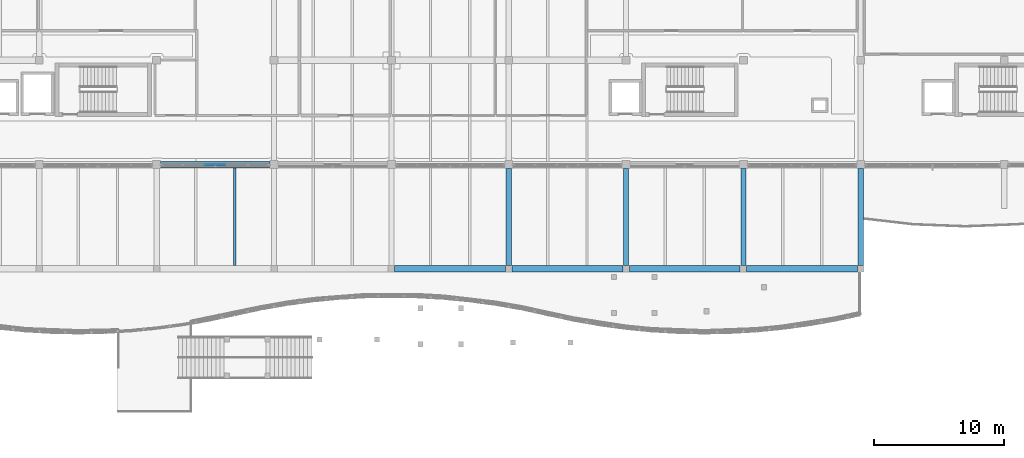
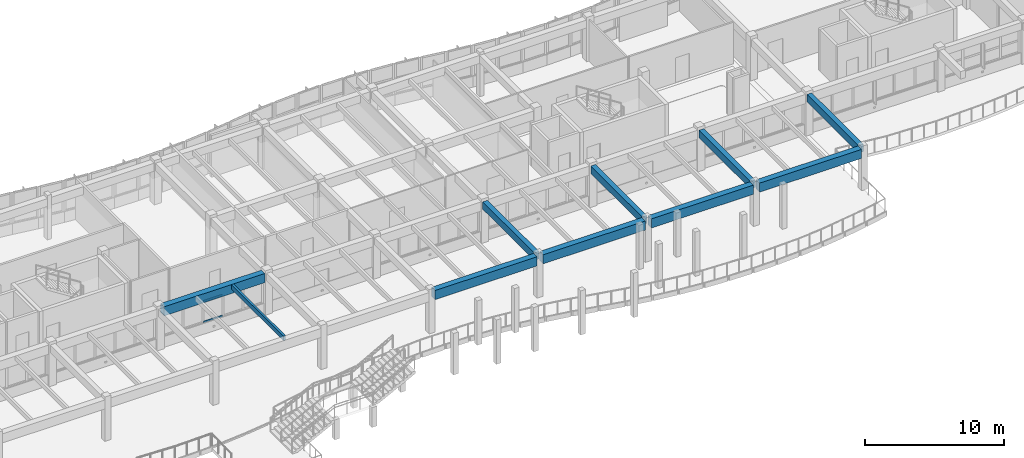
# One storey, part 21 of 89: 10 beams, 2 members, 1 element without a shape of its own.
"""IFC4 building model written with IfcOpenShell, lengths in metres."""

from ifc_helpers import new_model, si_unit, direction, frame, origin, origin_2d, place, context, subcontext, project, spatial, rectangle, extrude, material, layer, layer_set, material_profile, profile_set, type_object, element, aggregate, save


model = new_model("IFC4")

# Units and contexts
model_context = context("Model", 3, precision=1e-05, world=origin(), true_north=direction((0.0, 1.0)))
body_context = subcontext(model_context, "Body", "Model", "MODEL_VIEW")
ifc_project = project(units=[si_unit("LENGTHUNIT", "METRE"), si_unit("AREAUNIT", "SQUARE_METRE"), si_unit("VOLUMEUNIT", "CUBIC_METRE"), si_unit("PLANEANGLEUNIT", "RADIAN"), si_unit("MASSUNIT", "GRAM", prefix="KILO")], contexts=[model_context])

# Site, building, storey
site_placement = place(None, origin())
site = spatial("IfcSite", under=ifc_project, at=site_placement, CompositionType="ELEMENT")
building_placement = place(site_placement, origin())
building = spatial("IfcBuilding", under=site, at=building_placement, Name="Tonlespit Floodbar School", CompositionType="ELEMENT")
storey_placement = place(building_placement, frame((0.0, 0.0, 4.5)))
storey = spatial("IfcBuildingStorey", under=building, at=storey_placement, Name="L01", CompositionType="ELEMENT", Elevation=4.5)

# Beams
ifc_material_1 = material(Name="Concrete C40/50", Category="concrete")
ifc_material_profile_1 = material_profile(ifc_material_1, rectangle(XDim=0.39990234375, YDim=0.64990234375, at=origin_2d()), Name="RC 400x650")
ifc_profile_set_1 = profile_set([ifc_material_profile_1], Name="Concrete C40/50")
beam_type_1 = type_object("IfcBeamType", Name="Beam_RC_400x650", PredefinedType="BEAM", material=ifc_profile_set_1)
for number, where, z_axis, x_axis, name in (
    (1, (89.0, 96.25, 3.322998046875), (0.0, 1.0, 0.0), (-1.0, 0.0, 0.0), "L01 girder 0737"),
    (2, (98.0, 96.25, 3.322998046875), (0.0, 1.0, 0.0), (-1.0, 0.0, 0.0), "L01 girder 0740"),
    (3, (107.0, 96.25, 3.322998046875), (0.0, 1.0, 0.0), (-1.0, 0.0, 0.0), "L01 girder 0742"),
    (4, (116.0, 96.25, 3.322998046875), (0.0, 1.0, 0.0), (-1.0, 0.0, 0.0), "L01 girder 0743"),
):
    element("IfcBeam", number, at=place(storey_placement, frame(where, z_axis=z_axis, x_axis=x_axis)), inside=storey, type_object=beam_type_1, Name=name, PredefinedType="BEAM", context=body_context, shape_type="SweptSolid", body=[
        extrude(rectangle(XDim=0.39990234375, YDim=0.64990234375, at=origin_2d()), origin(), (0.0, 0.0, 1.0), 7.449951171875),
    ])
ifc_material_profile_2 = material_profile(ifc_material_1, rectangle(XDim=0.5, YDim=0.800048828125, at=origin_2d()), Name="RC 500x800")
ifc_profile_set_2 = profile_set([ifc_material_profile_2], Name="Concrete C40/50")
beam_type_2 = type_object("IfcBeamType", Name="Beam_RC_500x800", PredefinedType="BEAM", material=ifc_profile_set_2)
for number, where, z_axis, x_axis, name in (
    (5, (80.25, 96.0, 3.25), (1.0, 0.0, 0.0), (0.0, 1.0, 0.0), "L01 girder 0621"),
    (6, (89.25, 96.0, 3.248046875), (1.0, 0.0, 0.0), (0.0, 1.0, 0.0), "L01 girder 0622"),
    (7, (98.25, 96.0, 3.248046875), (1.0, 0.0, 0.0), (0.0, 1.0, 0.0), "L01 girder 0623"),
    (8, (107.25, 96.0, 3.248046875), (1.0, 0.0, 0.0), (0.0, 1.0, 0.0), "L01 girder 0624"),
):
    element("IfcBeam", number, at=place(storey_placement, frame(where, z_axis=z_axis, x_axis=x_axis)), inside=storey, type_object=beam_type_2, Name=name, PredefinedType="BEAM", context=body_context, shape_type="SweptSolid", body=[
        extrude(rectangle(XDim=0.5, YDim=0.800048828125, at=origin_2d()), origin(), (0.0, 0.0, 1.0), 8.5),
    ])
beam_1_placement = place(storey_placement, frame((62.300048828125, 104.0, 3.2451171875), z_axis=(1.0, 0.0, 0.0), x_axis=(0.0, 1.0, 0.0)))
element("IfcBeam", 9, at=beam_1_placement, inside=storey, type_object=beam_type_2, Name="L01 girder 0631", PredefinedType="BEAM", context=body_context, shape_type="SweptSolid", body=[
    extrude(rectangle(XDim=0.5, YDim=0.800048828125, at=origin_2d()), origin(), (0.0, 0.0, 1.0), 8.39990234375),
])

# Curtain wall, members
ifc_material_2 = material(Name="Anodised Aluminium", Category="aluminium")
ifc_layer = layer(ifc_material_2, 0.159912109375)
ifc_layer_set = layer_set([ifc_layer], Name="Anodised Aluminium")
curtain_wall_type = type_object("IfcCurtainWallType", Name="CurtainWall_8300x1900", PredefinedType="NOTDEFINED", material=ifc_layer_set)
curtain_wall_placement = place(storey_placement, origin())
curtain_wall = element("IfcCurtainWall", 10, at=curtain_wall_placement, inside=storey, type_object=curtain_wall_type, Name="L01 unitised curtain wall 0079", PredefinedType="NOTDEFINED")
ifc_material_profile_3 = material_profile(ifc_material_2, rectangle(XDim=0.06494140625, YDim=0.139892578125, at=origin_2d()), Name="ALU T65x140")
ifc_profile_set_3 = profile_set([ifc_material_profile_3], Name="Anodised Aluminium")
member_type = type_object("IfcMemberType", Name="CW_Transom_65x140", PredefinedType="USERDEFINED", material=ifc_profile_set_3)
member_1_placement = place(storey_placement, frame((67.299560546875, 104.0, 0.982421875), z_axis=(-1.0, 0.0, 0.0), x_axis=(0.0, -1.0, 0.0)))
member_1 = element("IfcMember", 11, at=member_1_placement, type_object=member_type, Name="CW-06 transom 3.1", ObjectType="TRANSOM", PredefinedType="USERDEFINED", context=body_context, shape_type="SweptSolid", body=[
    extrude(rectangle(XDim=0.06494140625, YDim=0.139892578125, at=origin_2d()), origin(), (0.0, 0.0, 1.0), 1.59912109375),
])
member_2_placement = place(storey_placement, frame((67.299560546875, 104.0, 2.8125), z_axis=(-1.0, 0.0, 0.0), x_axis=(0.0, -1.0, 0.0)))
member_2 = element("IfcMember", 12, at=member_2_placement, type_object=member_type, Name="CW-06 transom 3.2", ObjectType="TRANSOM", PredefinedType="USERDEFINED", context=body_context, shape_type="SweptSolid", body=[
    extrude(rectangle(XDim=0.06494140625, YDim=0.139892578125, at=origin_2d()), origin(), (0.0, 0.0, 1.0), 1.59912109375),
])
aggregate(curtain_wall, [member_1, member_2])

# Beam
ifc_material_3 = material(Name="Glulam GL28h", Category="wood")
ifc_material_profile_4 = material_profile(ifc_material_3, rectangle(XDim=0.179931640625, YDim=0.39990234375, at=origin_2d()), Name="GL 180x400")
ifc_profile_set_4 = profile_set([ifc_material_profile_4], Name="Glulam GL28h")
beam_type_3 = type_object("IfcBeamType", Name="Joist_GL_180x400", PredefinedType="JOIST", material=ifc_profile_set_4)
beam_2_placement = place(storey_placement, frame((68.0, 96.25, 3.447998046875), z_axis=(0.0, 1.0, 0.0), x_axis=(-1.0, 0.0, 0.0)))
element("IfcBeam", 13, at=beam_2_placement, inside=storey, type_object=beam_type_3, Name="L01 secondary joist 0868", PredefinedType="JOIST", context=body_context, shape_type="SweptSolid", body=[
    extrude(rectangle(XDim=0.179931640625, YDim=0.39990234375, at=origin_2d()), origin(), (0.0, 0.0, 1.0), 7.5),
])

save(model, "model.ifc")
